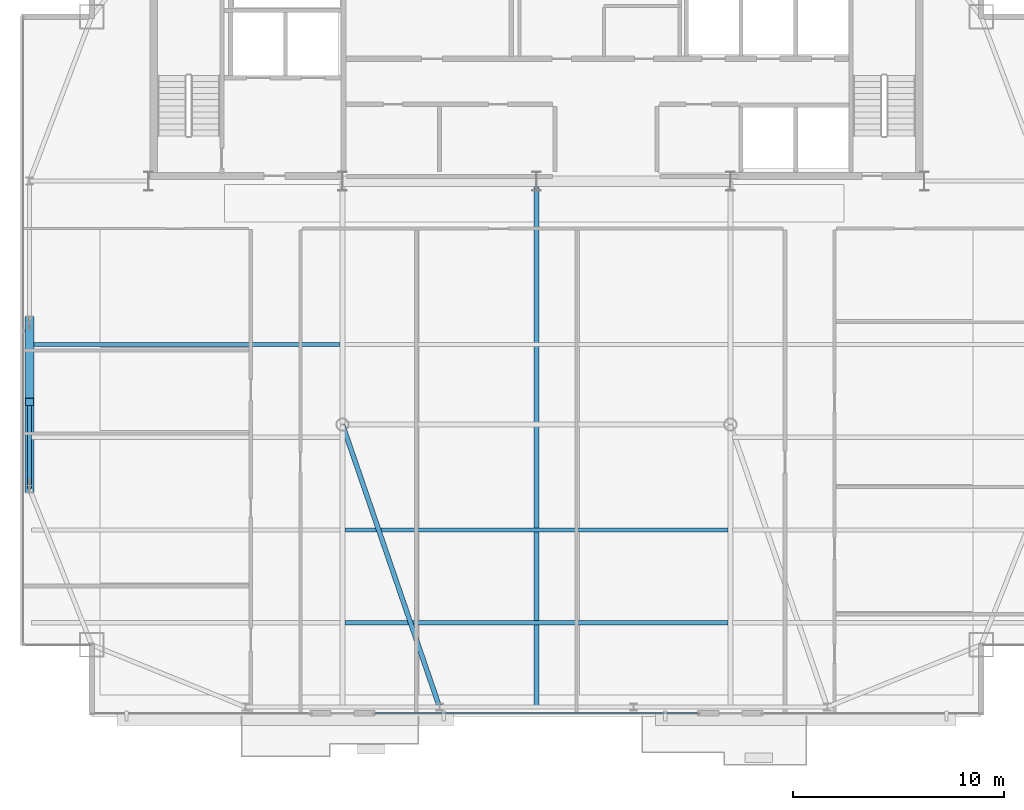
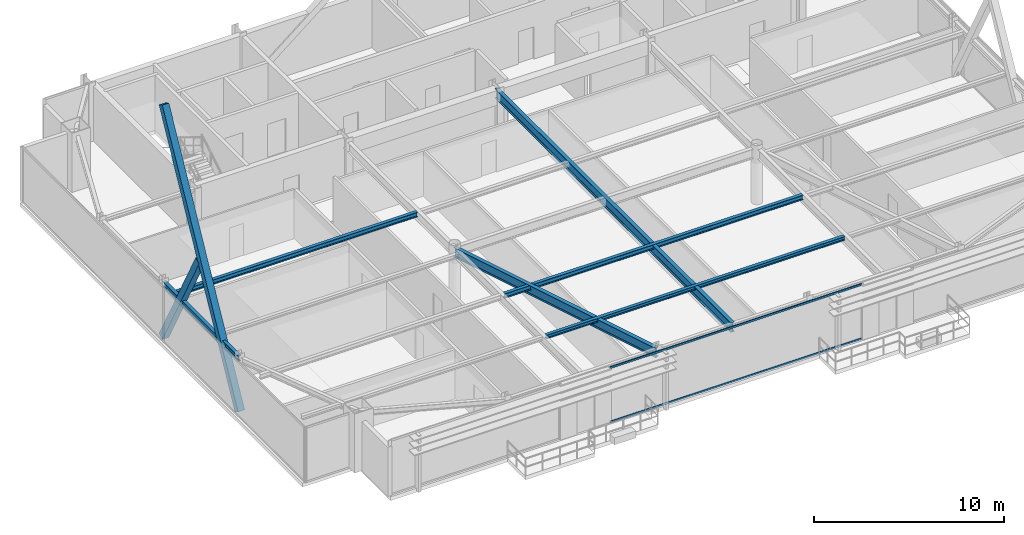
# One storey, part 9 of 31: 6 beams, 4 members, 1 element without a shape of its own.
"""IFC4 building model written with IfcOpenShell, lengths in metres."""

from ifc_helpers import new_model, si_unit, direction, frame, origin, origin_2d, place, context, subcontext, project, spatial, hollow_rectangle, i_section, extrude, source, transform, mapped, material, layer, layer_set, material_profile, profile_set, type_object, type_shapes, element, aggregate, save


model = new_model("IFC4")

# Units and contexts
model_context = context("Model", 3, precision=1e-05, world=origin(), true_north=direction((0.0, 1.0)))
body_context = subcontext(model_context, "Body", "Model", "MODEL_VIEW")
ifc_project = project(units=[si_unit("LENGTHUNIT", "METRE"), si_unit("AREAUNIT", "SQUARE_METRE"), si_unit("VOLUMEUNIT", "CUBIC_METRE"), si_unit("PLANEANGLEUNIT", "RADIAN"), si_unit("MASSUNIT", "GRAM", prefix="KILO")], contexts=[model_context])

# Site, building, storey
site_placement = place(None, origin())
site = spatial("IfcSite", under=ifc_project, at=site_placement, CompositionType="ELEMENT")
building_placement = place(site_placement, origin())
building = spatial("IfcBuilding", under=site, at=building_placement, Name="Varnel Quay Broadcast Tower", CompositionType="ELEMENT")
storey_placement = place(building_placement, frame((0.0, 0.0, 215.0)))
storey = spatial("IfcBuildingStorey", under=building, at=storey_placement, Name="L53", CompositionType="ELEMENT", Elevation=215.0)

# Beams
ifc_material_1 = material(Name="Structural Steel CSA G40.21 350W", Category="steel")
ifc_material_profile_1 = material_profile(ifc_material_1, i_section(OverallWidth=0.205078125, OverallDepth=0.35400390625, WebThickness=0.009521484375, FlangeThickness=0.016845703125, FilletRadius=0.012939453125, at=origin_2d()), Name="W360X79")
ifc_profile_set_1 = profile_set([ifc_material_profile_1], Name="Structural Steel CSA G40.21 350W")
beam_type_1 = type_object("IfcBeamType", Name="Beam_W360X79", PredefinedType="SPANDREL", material=ifc_profile_set_1)
shared_shape_1 = source(origin(), body_context, "Body", "SweptSolid", [
    extrude(i_section(OverallWidth=0.205078125, OverallDepth=0.35400390625, WebThickness=0.009521484375, FlangeThickness=0.016845703125, FilletRadius=0.012939453125, at=origin_2d()), origin(), (0.0, 0.0, 1.0), 7.9599609375),
])
type_shapes(beam_type_1, [shared_shape_1])
beam_1_placement = place(storey_placement, frame((9.949951171875, 21.02001953125, 3.373046875), z_axis=(0.0, 1.0, 0.0), x_axis=(-1.0, 0.0, 0.0)))
element("IfcBeam", 1, at=beam_1_placement, inside=storey, type_object=beam_type_1, Name="L53 West Spandrel TC-W1-TC-W2", PredefinedType="SPANDREL", context=body_context, shape_type="MappedRepresentation", body=[
    mapped(shared_shape_1, transform((0.0, 0.0, 0.0), x_axis=(1.0, 0.0, 0.0), y_axis=(0.0, 1.0, 0.0), z_axis=(0.0, 0.0, 1.0), scale=1.0)),
])
ifc_material_profile_2 = material_profile(ifc_material_1, i_section(OverallWidth=0.22998046875, OverallDepth=0.616943359375, WebThickness=0.01318359375, FlangeThickness=0.022216796875, FilletRadius=0.01611328125, at=origin_2d()), Name="W610X140")
ifc_profile_set_2 = profile_set([ifc_material_profile_2], Name="Structural Steel CSA G40.21 350W")
beam_type_2 = type_object("IfcBeamType", Name="Girder_W610X140", PredefinedType="BEAM", material=ifc_profile_set_2)
shared_shape_2 = source(origin(), body_context, "Body", "SweptSolid", [
    extrude(i_section(OverallWidth=0.22998046875, OverallDepth=0.616943359375, WebThickness=0.01318359375, FlangeThickness=0.022216796875, FilletRadius=0.01611328125, at=origin_2d()), origin(), (0.0, 0.0, 1.0), 14.12744140625),
])
beam_2_placement = place(storey_placement, frame((29.3935546875, 10.6689453125, 3.241455078125), z_axis=(-0.324696747868, 0.945818175932, 0.0), x_axis=(-0.945818175932, -0.324696747868, 0.0)))
element("IfcBeam", 2, at=beam_2_placement, inside=storey, type_object=beam_type_2, Name="L53 Primary Girder TC-S2-IC-01", PredefinedType="BEAM", context=body_context, shape_type="MappedRepresentation", body=[
    mapped(shared_shape_2, transform((0.0, 0.0, 0.0), x_axis=(1.0, 0.0, 0.0), y_axis=(0.0, 1.0, 0.0), z_axis=(0.0, 0.0, 1.0), scale=1.0)),
])
shared_shape_3 = source(origin(), body_context, "Body", "SweptSolid", [
    extrude(i_section(OverallWidth=0.22998046875, OverallDepth=0.616943359375, WebThickness=0.01318359375, FlangeThickness=0.022216796875, FilletRadius=0.01611328125, at=origin_2d()), origin(), (0.0, 0.0, 1.0), 24.91015625),
])
type_shapes(beam_type_2, [shared_shape_2, shared_shape_3])
beam_3_placement = place(storey_placement, frame((34.0, 10.669921875, 3.241455078125), z_axis=(0.0, 1.0, 0.0), x_axis=(-1.0, 0.0, 0.0)))
element("IfcBeam", 3, at=beam_3_placement, inside=storey, type_object=beam_type_2, Name="L53 Central Bay Girder", PredefinedType="BEAM", context=body_context, shape_type="MappedRepresentation", body=[
    mapped(shared_shape_3, transform((0.0, 0.0, 0.0), x_axis=(1.0, 0.0, 0.0), y_axis=(0.0, 1.0, 0.0), z_axis=(0.0, 0.0, 1.0), scale=1.0)),
])
ifc_material_profile_3 = material_profile(ifc_material_1, i_section(OverallWidth=0.201904296875, OverallDepth=0.2470703125, WebThickness=0.00732421875, FlangeThickness=0.010986328125, FilletRadius=0.010986328125, at=origin_2d()), Name="W250X49")
ifc_profile_set_3 = profile_set([ifc_material_profile_3], Name="Structural Steel CSA G40.21 350W")
beam_type_3 = type_object("IfcBeamType", Name="Beam_W250X49", PredefinedType="JOIST", material=ifc_profile_set_3)
shared_shape_4 = source(origin(), body_context, "Body", "SweptSolid", [
    extrude(i_section(OverallWidth=0.201904296875, OverallDepth=0.2470703125, WebThickness=0.00732421875, FlangeThickness=0.010986328125, FilletRadius=0.010986328125, at=origin_2d()), origin(), (0.0, 0.0, 1.0), 18.18017578125),
])
type_shapes(beam_type_3, [shared_shape_4])
beam_4_placement = place(storey_placement, frame((24.909912109375, 14.64990234375, 3.426513671875), z_axis=(1.0, 0.0, 0.0), x_axis=(0.0, 1.0, 0.0)))
element("IfcBeam", 4, at=beam_4_placement, inside=storey, type_object=beam_type_3, Name="L53 Central Floor Joist 1", PredefinedType="JOIST", context=body_context, shape_type="MappedRepresentation", body=[
    mapped(shared_shape_4, transform((0.0, 0.0, 0.0), x_axis=(1.0, 0.0, 0.0), y_axis=(0.0, 1.0, 0.0), z_axis=(0.0, 0.0, 1.0), scale=1.0)),
])
ifc_material_profile_4 = material_profile(ifc_material_1, i_section(OverallWidth=0.202880859375, OverallDepth=0.302978515625, WebThickness=0.007568359375, FlangeThickness=0.01318359375, FilletRadius=0.011962890625, at=origin_2d()), Name="W310X60")
ifc_profile_set_4 = profile_set([ifc_material_profile_4], Name="Structural Steel CSA G40.21 350W")
beam_type_4 = type_object("IfcBeamType", Name="Beam_W310X60", PredefinedType="JOIST", material=ifc_profile_set_4)
shared_shape_5 = source(origin(), body_context, "Body", "SweptSolid", [
    extrude(i_section(OverallWidth=0.202880859375, OverallDepth=0.302978515625, WebThickness=0.007568359375, FlangeThickness=0.01318359375, FilletRadius=0.011962890625, at=origin_2d()), origin(), (0.0, 0.0, 1.0), 14.642333984375),
])
beam_5_placement = place(storey_placement, frame((10.047607421875, 27.85009765625, 3.3984375), z_axis=(1.0, 0.0, 0.0), x_axis=(0.0, 1.0, 0.0)))
element("IfcBeam", 5, at=beam_5_placement, inside=storey, type_object=beam_type_4, Name="L53 West Floor Joist 4", PredefinedType="JOIST", context=body_context, shape_type="MappedRepresentation", body=[
    mapped(shared_shape_5, transform((0.0, 0.0, 0.0), x_axis=(1.0, 0.0, 0.0), y_axis=(0.0, 1.0, 0.0), z_axis=(0.0, 0.0, 1.0), scale=1.0)),
])
shared_shape_6 = source(origin(), body_context, "Body", "SweptSolid", [
    extrude(i_section(OverallWidth=0.202880859375, OverallDepth=0.302978515625, WebThickness=0.007568359375, FlangeThickness=0.01318359375, FilletRadius=0.011962890625, at=origin_2d()), origin(), (0.0, 0.0, 1.0), 18.18017578125),
])
type_shapes(beam_type_4, [shared_shape_5, shared_shape_6])
beam_6_placement = place(storey_placement, frame((24.909912109375, 19.050048828125, 3.3984375), z_axis=(1.0, 0.0, 0.0), x_axis=(0.0, 1.0, 0.0)))
element("IfcBeam", 6, at=beam_6_placement, inside=storey, type_object=beam_type_4, Name="L53 Central Floor Joist 2", PredefinedType="JOIST", context=body_context, shape_type="MappedRepresentation", body=[
    mapped(shared_shape_6, transform((0.0, 0.0, 0.0), x_axis=(1.0, 0.0, 0.0), y_axis=(0.0, 1.0, 0.0), z_axis=(0.0, 0.0, 1.0), scale=1.0)),
])

# Members
ifc_material_profile_5 = material_profile(ifc_material_1, hollow_rectangle(XDim=0.406005859375, YDim=0.406005859375, WallThickness=0.01611328125, at=origin_2d()), Name="HSS406X406X16")
ifc_profile_set_5 = profile_set([ifc_material_profile_5], Name="Structural Steel CSA G40.21 350W")
member_type_1 = type_object("IfcMemberType", Name="Brace_HSS406X406X16", PredefinedType="BRACE", material=ifc_profile_set_5)
shared_shape_7 = source(origin(), body_context, "Body", "SweptSolid", [
    extrude(hollow_rectangle(XDim=0.406005859375, YDim=0.406005859375, WallThickness=0.01611328125, at=origin_2d()), origin(), (0.0, 0.0, 1.0), 16.920654296875),
])
member_1_placement = place(storey_placement, frame((9.949951171875, 21.0, 0.02001953125), z_axis=(0.0, 0.472797484609, 0.881171117631), x_axis=(-1.0, 0.0, 0.0)))
element("IfcMember", 7, at=member_1_placement, inside=storey, type_object=member_type_1, Name="Zone 4 Mega-Brace W-FT2 Continuous Diag A", PredefinedType="BRACE", context=body_context, shape_type="MappedRepresentation", body=[
    mapped(shared_shape_7, transform((0.0, 0.0, 0.0), x_axis=(1.0, 0.0, 0.0), y_axis=(0.0, 1.0, 0.0), z_axis=(0.0, 0.0, 1.0), scale=1.0)),
])
shared_shape_8 = source(origin(), body_context, "Body", "SweptSolid", [
    extrude(hollow_rectangle(XDim=0.406005859375, YDim=0.406005859375, WallThickness=0.01611328125, at=origin_2d()), origin(), (0.0, 0.0, 1.0), 8.191650390625),
])
type_shapes(member_type_1, [shared_shape_7, shared_shape_8])
member_2_placement = place(storey_placement, frame((9.949951171875, 29.0, 0.02001953125), z_axis=(0.0, -0.47280190134, 0.881168747794), x_axis=(1.0, 0.0, 0.0)))
element("IfcMember", 8, at=member_2_placement, inside=storey, type_object=member_type_1, Name="Zone 4 Mega-Brace W-FT2 Split Diag B1", PredefinedType="BRACE", context=body_context, shape_type="MappedRepresentation", body=[
    mapped(shared_shape_8, transform((0.0, 0.0, 0.0), x_axis=(1.0, 0.0, 0.0), y_axis=(0.0, 1.0, 0.0), z_axis=(0.0, 0.0, 1.0), scale=1.0)),
])

# Curtain wall, members
ifc_material_2 = material(Name="Anodised Bronze Aluminium 6063-T6", Category="aluminium")
ifc_layer = layer(ifc_material_2, 0.18994140625, Name="Anodised Bronze Aluminium 6063-T6")
ifc_layer_set = layer_set([ifc_layer], Name="Anodised Bronze Aluminium 6063-T6")
curtain_wall_type = type_object("IfcCurtainWallType", Name="CW_UpperTower", PredefinedType="NOTDEFINED", material=ifc_layer_set)
curtain_wall_placement = place(storey_placement, origin())
curtain_wall = element("IfcCurtainWall", 9, at=curtain_wall_placement, inside=storey, type_object=curtain_wall_type, Name="L53 South Unitised Curtain Wall 2", PredefinedType="NOTDEFINED")
ifc_material_profile_6 = material_profile(ifc_material_2, hollow_rectangle(XDim=0.06005859375, YDim=0.125, WallThickness=0.0029296875, at=origin_2d()), Name="ALU60X125X3")
ifc_profile_set_6 = profile_set([ifc_material_profile_6], Name="Anodised Bronze Aluminium 6063-T6")
member_type_2 = type_object("IfcMemberType", Name="Tran_CWS-03", PredefinedType="USERDEFINED", material=ifc_profile_set_6)
shared_shape_9 = source(origin(), body_context, "Body", "SweptSolid", [
    extrude(hollow_rectangle(XDim=0.06005859375, YDim=0.125, WallThickness=0.0029296875, at=origin_2d()), origin(), (0.0, 0.0, 1.0), 15.31005859375),
])
type_shapes(member_type_2, [shared_shape_9])
member_3_placement = place(storey_placement, frame((26.344970703125, 10.35009765625, 0.030029296875), z_axis=(1.0, 0.0, 0.0), x_axis=(0.0, 1.0, 0.0)))
member_3 = element("IfcMember", 10, at=member_3_placement, type_object=member_type_2, Name="CWS-03 transom 1.1", ObjectType="TRANSOM", PredefinedType="USERDEFINED", context=body_context, shape_type="MappedRepresentation", body=[
    mapped(shared_shape_9, transform((0.0, 0.0, 0.0), x_axis=(1.0, 0.0, 0.0), y_axis=(0.0, 1.0, 0.0), z_axis=(0.0, 0.0, 1.0), scale=1.0)),
])
member_4_placement = place(storey_placement, frame((26.344970703125, 10.35009765625, 3.52001953125), z_axis=(1.0, 0.0, 0.0), x_axis=(0.0, 1.0, 0.0)))
member_4 = element("IfcMember", 11, at=member_4_placement, type_object=member_type_2, Name="CWS-03 transom 1.2", ObjectType="TRANSOM", PredefinedType="USERDEFINED", context=body_context, shape_type="MappedRepresentation", body=[
    mapped(shared_shape_9, transform((0.0, 0.0, 0.0), x_axis=(1.0, 0.0, 0.0), y_axis=(0.0, 1.0, 0.0), z_axis=(0.0, 0.0, 1.0), scale=1.0)),
])
aggregate(curtain_wall, [member_3, member_4])

save(model, "model.ifc")
